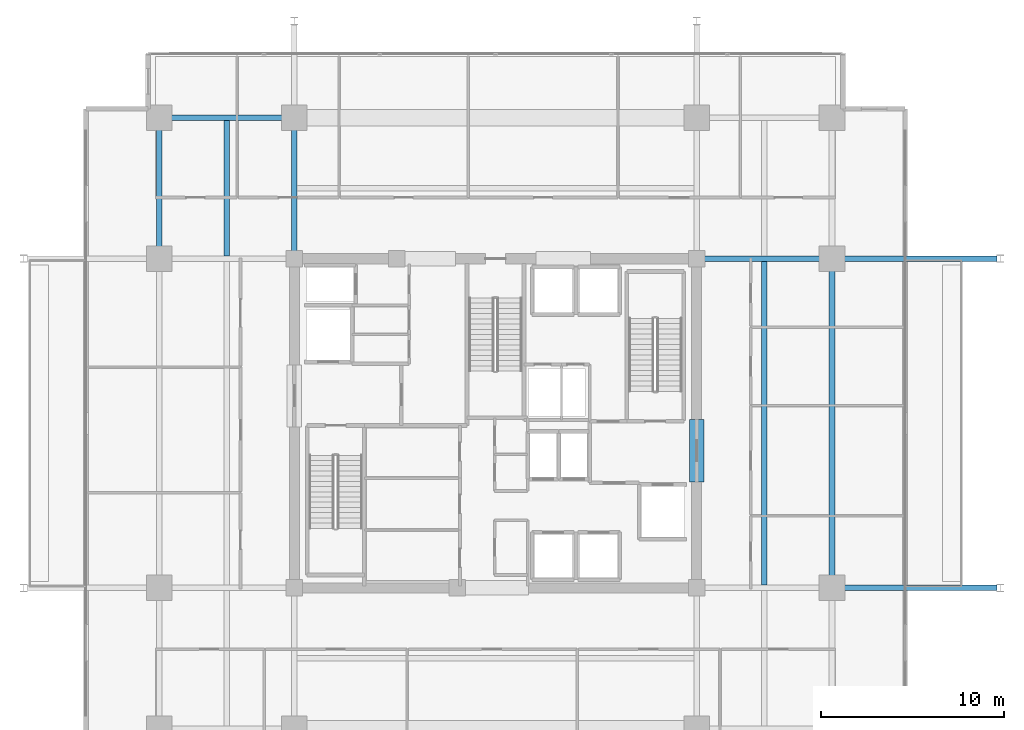
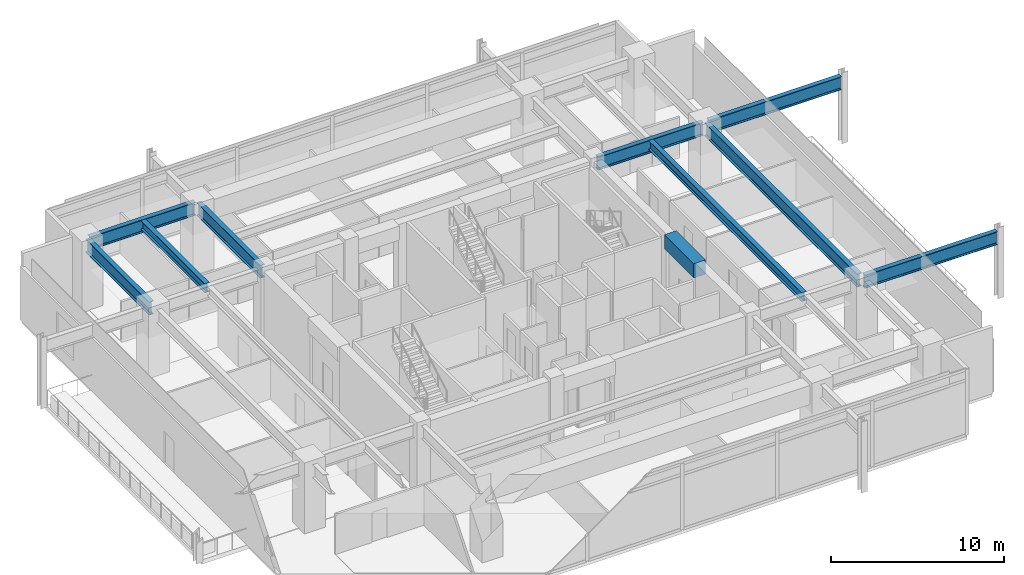
# One storey, part 6 of 19: 10 beams.
"""IFC4 building model written with IfcOpenShell, lengths in metres."""

from ifc_helpers import new_model, si_unit, direction, frame, origin, origin_2d, place, context, subcontext, project, spatial, rectangle, i_section, extrude, material, material_profile, profile_set, type_object, element, save


model = new_model("IFC4")

# Units and contexts
model_context = context("Model", 3, precision=1e-05, world=origin(), true_north=direction((0.0, 1.0)))
body_context = subcontext(model_context, "Body", "Model", "MODEL_VIEW")
ifc_project = project(units=[si_unit("LENGTHUNIT", "METRE"), si_unit("AREAUNIT", "SQUARE_METRE"), si_unit("VOLUMEUNIT", "CUBIC_METRE"), si_unit("PLANEANGLEUNIT", "RADIAN"), si_unit("MASSUNIT", "GRAM", prefix="KILO")], contexts=[model_context])

# Site, building, storey
site_placement = place(None, origin())
site = spatial("IfcSite", under=ifc_project, at=site_placement, CompositionType="ELEMENT")
building_placement = place(site_placement, origin())
building = spatial("IfcBuilding", under=site, at=building_placement, Name="Kovane Verandah Tower", CompositionType="ELEMENT")
storey_placement = place(building_placement, frame((0.0, 0.0, 184.39990234375)))
storey = spatial("IfcBuildingStorey", under=building, at=storey_placement, Name="L43", CompositionType="ELEMENT", Elevation=184.39990234375)

# Beams
ifc_material_1 = material(Name="Concrete C60/75", Category="concrete")
ifc_material_profile_1 = material_profile(ifc_material_1, rectangle(XDim=0.800048828125, YDim=1.0, at=origin_2d()), Name="RCB800x1000")
ifc_profile_set_1 = profile_set([ifc_material_profile_1], Name="Concrete C60/75")
beam_type_1 = type_object("IfcBeamType", Name="BM-LINTEL-800x1000", PredefinedType="LINTEL", material=ifc_profile_set_1)
beam_1_placement = place(storey_placement, frame((51.0, 24.300048828125, 4.2001953125), z_axis=(0.0, 1.0, 0.0), x_axis=(-1.0, 0.0, 0.0)))
element("IfcBeam", 1, at=beam_1_placement, inside=storey, type_object=beam_type_1, Name="L43 Core Coupling Lintel CL-E", PredefinedType="LINTEL", context=body_context, shape_type="SweptSolid", body=[
    extrude(rectangle(XDim=0.800048828125, YDim=1.0, at=origin_2d()), origin(), (0.0, 0.0, 1.0), 3.39990234375),
])
ifc_material_2 = material(Name="Steel S460", Category="steel")
ifc_material_profile_2 = material_profile(ifc_material_2, i_section(OverallWidth=0.311279296875, OverallDepth=0.6357421875, WebThickness=0.018310546875, FlangeThickness=0.031494140625, FilletRadius=0.0166015625, at=origin_2d()), Name="UB610x305x238")
ifc_profile_set_2 = profile_set([ifc_material_profile_2], Name="Steel S460")
beam_type_2 = type_object("IfcBeamType", Name="BM-UB610x238", PredefinedType="BEAM", material=ifc_profile_set_2)
beam_2_placement = place(storey_placement, frame((54.699951171875, 18.65185546875, 4.382080078125), z_axis=(0.0, 1.0, 0.0), x_axis=(-1.0, 0.0, 0.0)))
element("IfcBeam", 2, at=beam_2_placement, inside=storey, type_object=beam_type_2, Name="L43 Secondary Composite Joist J-E1", PredefinedType="BEAM", context=body_context, shape_type="SweptSolid", body=[
    extrude(i_section(OverallWidth=0.311279296875, OverallDepth=0.6357421875, WebThickness=0.018310546875, FlangeThickness=0.031494140625, FilletRadius=0.0166015625, at=origin_2d()), origin(), (0.0, 0.0, 1.0), 17.6962890625),
])
beam_3_placement = place(storey_placement, frame((25.300048828125, 36.65185546875, 4.382080078125), z_axis=(0.0, 1.0, 0.0), x_axis=(-1.0, 0.0, 0.0)))
element("IfcBeam", 3, at=beam_3_placement, inside=storey, type_object=beam_type_2, Name="L43 Secondary Composite Joist J-NW1", PredefinedType="BEAM", context=body_context, shape_type="SweptSolid", body=[
    extrude(i_section(OverallWidth=0.311279296875, OverallDepth=0.6357421875, WebThickness=0.018310546875, FlangeThickness=0.031494140625, FilletRadius=0.0166015625, at=origin_2d()), origin(), (0.0, 0.0, 1.0), 7.396240234375),
])
ifc_material_profile_3 = material_profile(ifc_material_2, i_section(OverallWidth=0.3076171875, OverallDepth=0.926513671875, WebThickness=0.01953125, FlangeThickness=0.031982421875, FilletRadius=0.01904296875, at=origin_2d()), Name="UB914x305x289")
ifc_profile_set_3 = profile_set([ifc_material_profile_3], Name="Steel S460")
beam_type_3 = type_object("IfcBeamType", Name="BM-UB914x289", PredefinedType="BEAM", material=ifc_profile_set_3)
beam_4_placement = place(storey_placement, frame((21.780029296875, 44.199951171875, 4.23681640625), z_axis=(1.0, 0.0, 0.0), x_axis=(0.0, 1.0, 0.0)))
element("IfcBeam", 4, at=beam_4_placement, inside=storey, type_object=beam_type_3, Name="L43 Primary Tower Girder G-RN1", PredefinedType="BEAM", context=body_context, shape_type="SweptSolid", body=[
    extrude(i_section(OverallWidth=0.3076171875, OverallDepth=0.926513671875, WebThickness=0.01953125, FlangeThickness=0.031982421875, FilletRadius=0.01904296875, at=origin_2d()), origin(), (0.0, 0.0, 1.0), 7.0400390625),
])
beam_5_placement = place(storey_placement, frame((21.60009765625, 36.679931640625, 4.23681640625), z_axis=(0.0, 1.0, 0.0), x_axis=(-1.0, 0.0, 0.0)))
element("IfcBeam", 5, at=beam_5_placement, inside=storey, type_object=beam_type_3, Name="L43 Primary Tower Girder G-RW3", PredefinedType="BEAM", context=body_context, shape_type="SweptSolid", body=[
    extrude(i_section(OverallWidth=0.3076171875, OverallDepth=0.926513671875, WebThickness=0.01953125, FlangeThickness=0.031982421875, FilletRadius=0.01904296875, at=origin_2d()), origin(), (0.0, 0.0, 1.0), 7.340087890625),
])
beam_6_placement = place(storey_placement, frame((58.39990234375, 18.679931640625, 4.23681640625), z_axis=(0.0, 1.0, 0.0), x_axis=(-1.0, 0.0, 0.0)))
element("IfcBeam", 6, at=beam_6_placement, inside=storey, type_object=beam_type_3, Name="L43 Primary Tower Girder G-RE2", PredefinedType="BEAM", context=body_context, shape_type="SweptSolid", body=[
    extrude(i_section(OverallWidth=0.3076171875, OverallDepth=0.926513671875, WebThickness=0.01953125, FlangeThickness=0.031982421875, FilletRadius=0.01904296875, at=origin_2d()), origin(), (0.0, 0.0, 1.0), 17.64013671875),
])
beam_7_placement = place(storey_placement, frame((51.179931640625, 36.5, 4.23681640625), z_axis=(1.0, 0.0, 0.0), x_axis=(0.0, 1.0, 0.0)))
element("IfcBeam", 7, at=beam_7_placement, inside=storey, type_object=beam_type_3, Name="L43 Primary Tower Girder G-E2", PredefinedType="BEAM", context=body_context, shape_type="SweptSolid", body=[
    extrude(i_section(OverallWidth=0.3076171875, OverallDepth=0.926513671875, WebThickness=0.01953125, FlangeThickness=0.031982421875, FilletRadius=0.01904296875, at=origin_2d()), origin(), (0.0, 0.0, 1.0), 7.0400390625),
])
beam_8_placement = place(storey_placement, frame((29.0, 36.679931640625, 4.23681640625), z_axis=(0.0, 1.0, 0.0), x_axis=(-1.0, 0.0, 0.0)))
element("IfcBeam", 8, at=beam_8_placement, inside=storey, type_object=beam_type_3, Name="L43 Primary Tower Girder G-N1", PredefinedType="BEAM", context=body_context, shape_type="SweptSolid", body=[
    extrude(i_section(OverallWidth=0.3076171875, OverallDepth=0.926513671875, WebThickness=0.01953125, FlangeThickness=0.031982421875, FilletRadius=0.01904296875, at=origin_2d()), origin(), (0.0, 0.0, 1.0), 7.340087890625),
])
for number, where, z_axis, x_axis, name in (
    (9, (58.580078125, 18.5, 4.23681640625), (1.0, 0.0, 0.0), (0.0, 1.0, 0.0), "L43 Primary Tower Girder G-VE1"),
    (10, (58.580078125, 36.5, 4.23681640625), (1.0, 0.0, 0.0), (0.0, 1.0, 0.0), "L43 Primary Tower Girder G-VE2"),
):
    element("IfcBeam", number, at=place(storey_placement, frame(where, z_axis=z_axis, x_axis=x_axis)), inside=storey, type_object=beam_type_3, Name=name, PredefinedType="BEAM", context=body_context, shape_type="SweptSolid", body=[
        extrude(i_section(OverallWidth=0.3076171875, OverallDepth=0.926513671875, WebThickness=0.01953125, FlangeThickness=0.031982421875, FilletRadius=0.01904296875, at=origin_2d()), origin(), (0.0, 0.0, 1.0), 8.83984375),
    ])

save(model, "model.ifc")
